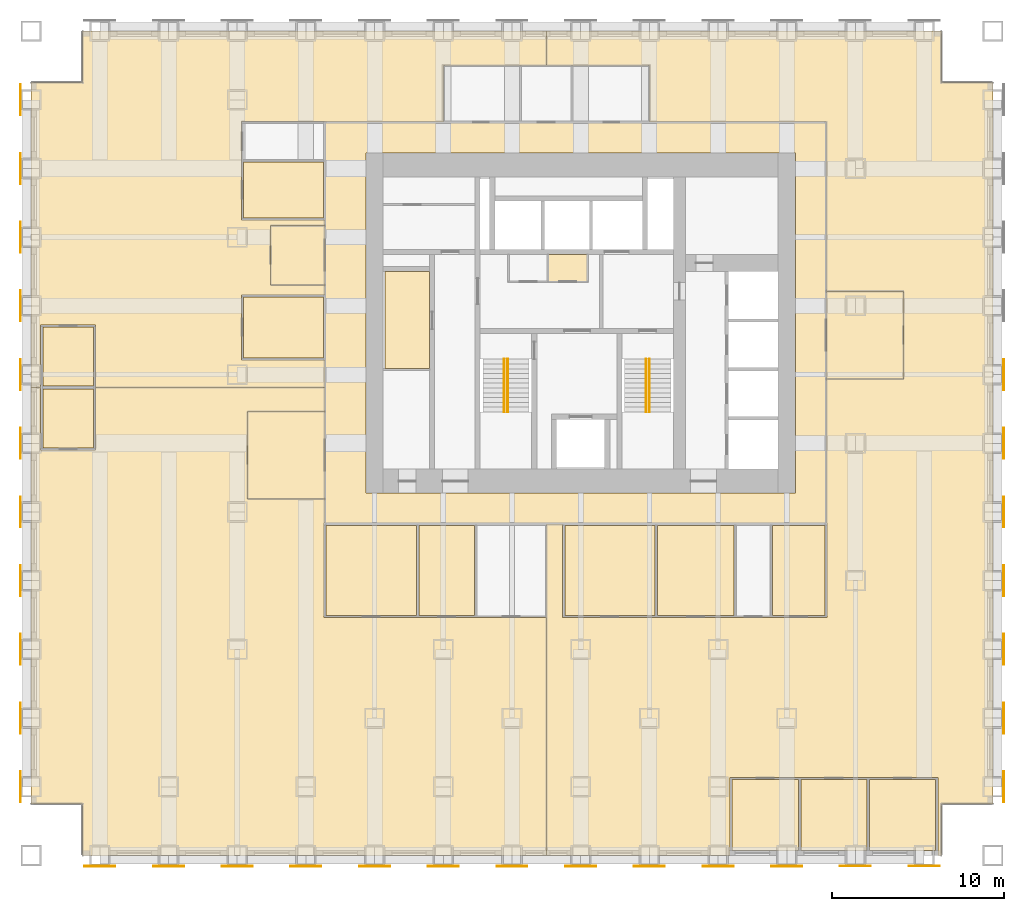
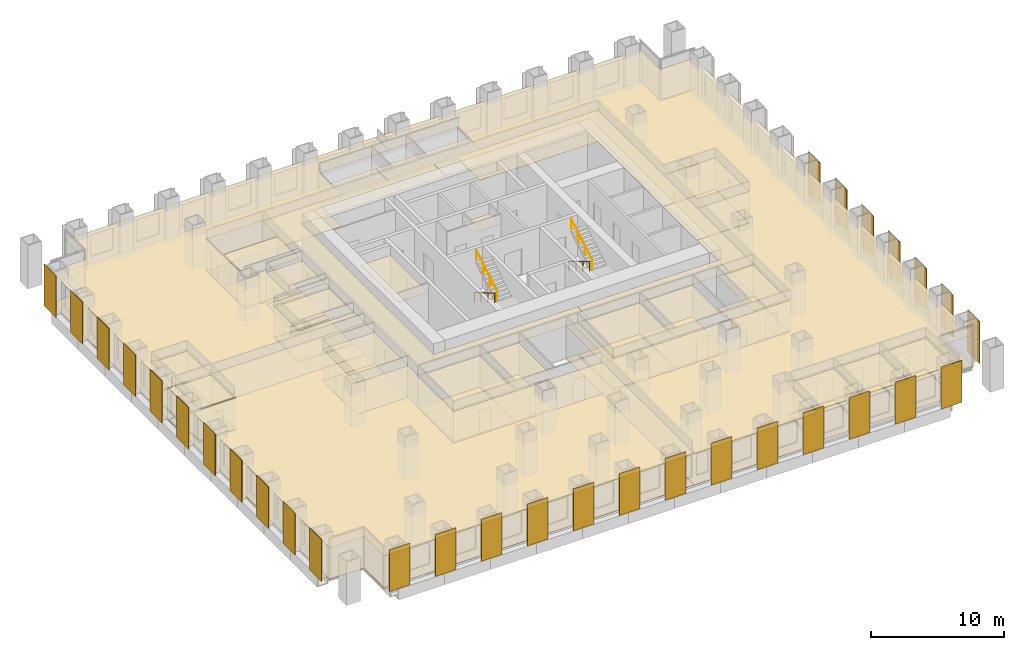
# One storey, part 14 of 15: 40 coverings, 31 shading devices, 4 railings.
"""IFC4 building model written with IfcOpenShell, lengths in metres."""

import ifcopenshell
import ifcopenshell.guid

model = None  # the IFC model being written
_history = None  # IfcOwnerHistory: only IFC2X3 demands one
_inside = {}  # id of a spatial element -> (the spatial element, [elements in it])
_under = {}  # id of a project, library or spatial element -> (it, [spatial elements below it])
_declared = {}  # id of a project -> (the project, [libraries it declares])
_typed = {}  # id of a type object -> (the type object, [elements of that type])
_made_of = {}  # id of a material, layer set ... -> (it, [elements and type objects made of it])


def new_model(schema):
    """Start an empty IFC model of exactly this schema.

    Asked for "IFC4X3", IfcOpenShell would pick the latest addendum, in which some entities
    have other attributes; the version numbers below select the first issue.
    IFC2X3 requires an IfcOwnerHistory on every rooted entity: one is made here for all.
    """
    global model, _history
    if schema == "IFC4X3":
        model = ifcopenshell.file(schema_version=(4, 3, 0, 0))
    else:
        model = ifcopenshell.file(schema=schema)
    _inside.clear()
    _under.clear()
    _declared.clear()
    _typed.clear()
    _made_of.clear()
    _history = None
    if model.schema == "IFC2X3":
        org = make("IfcOrganization", Name="unknown")
        user = make(
            "IfcPersonAndOrganization",
            ThePerson=make("IfcPerson", FamilyName="unknown"),
            TheOrganization=org,
        )
        app = make(
            "IfcApplication",
            ApplicationDeveloper=org,
            Version="unknown",
            ApplicationFullName="unknown",
            ApplicationIdentifier="unknown",
        )
        _history = make(
            "IfcOwnerHistory",
            OwningUser=user,
            OwningApplication=app,
            ChangeAction="ADDED",
            CreationDate=0,
        )
    return model


def make(cls, **values):
    """One entity of the class cls with the attributes given. An attribute that is None is left unset."""
    return model.create_entity(
        cls, **{name: value for name, value in values.items() if value is not None}
    )


def rooted(cls, **values):
    """An entity with a GlobalId (a new one), such as an element, a storey or a relation."""
    return make(cls, GlobalId=ifcopenshell.guid.new(), OwnerHistory=_history, **values)


def si_unit(unit_type, name, prefix=None):
    """IfcSIUnit, for example si_unit("LENGTHUNIT", "METRE", prefix="MILLI")."""
    return make("IfcSIUnit", UnitType=unit_type, Prefix=prefix, Name=name)


def assignment(units):
    """IfcUnitAssignment: the units of a project."""
    return None if units is None else make("IfcUnitAssignment", Units=units)


def point(xyz):
    """IfcCartesianPoint."""
    return None if xyz is None else make("IfcCartesianPoint", Coordinates=xyz)


def direction(xyz):
    """IfcDirection."""
    return None if xyz is None else make("IfcDirection", DirectionRatios=xyz)


def frame(location, z_axis=None, x_axis=None):
    """IfcAxis2Placement3D, a coordinate frame: its origin and axes. An axis left out is left unset."""
    return make(
        "IfcAxis2Placement3D",
        Location=point(location),
        Axis=direction(z_axis),
        RefDirection=direction(x_axis),
    )


def frame_2d(location, x_axis=None):
    """IfcAxis2Placement2D, a coordinate frame in the plane: its origin and x axis."""
    return make(
        "IfcAxis2Placement2D", Location=point(location), RefDirection=direction(x_axis)
    )


def origin():
    """The frame at (0, 0, 0) with its axes left unset."""
    return frame((0.0, 0.0, 0.0))


def origin_2d():
    """The frame at (0, 0) in the plane with its x axis left unset."""
    return frame_2d((0.0, 0.0))


def place(relative_to, where):
    """IfcLocalPlacement: puts the frame where relative to a parent placement (None: the world)."""
    return make(
        "IfcLocalPlacement", PlacementRelTo=relative_to, RelativePlacement=where
    )


def context(
    kind, dimensions, precision=None, world=None, true_north=None, identifier=None
):
    """IfcGeometricRepresentationContext, for example the 3D "Model" context."""
    return make(
        "IfcGeometricRepresentationContext",
        ContextIdentifier=identifier,
        ContextType=kind,
        CoordinateSpaceDimension=dimensions,
        Precision=precision,
        WorldCoordinateSystem=world,
        TrueNorth=true_north,
    )


def subcontext(parent, identifier, kind, view, scale=None):
    """IfcGeometricRepresentationSubContext, for example "Body" below "Model"."""
    return make(
        "IfcGeometricRepresentationSubContext",
        ContextIdentifier=identifier,
        ContextType=kind,
        ParentContext=parent,
        TargetScale=scale,
        TargetView=view,
    )


def project(units=None, contexts=None):
    """IfcProject with its units and contexts."""
    return rooted(
        "IfcProject",
        Name="project",
        RepresentationContexts=contexts,
        UnitsInContext=assignment(units),
    )


def spatial(cls, under=None, at=None, **own):
    """A site, building, storey or space (cls), placed at a placement, below another one or the project."""
    s = rooted(cls, ObjectPlacement=at, **own)
    if under is not None:
        _under.setdefault(under.id(), (under, []))[1].append(s)
    return s


def polyline(points):
    """IfcPolyline through the points."""
    return make("IfcPolyline", Points=[point(p) for p in points])


def profile(cls, at=None, kind="AREA", **sizes):
    """A parametric profile (cls). Its sizes go by their IFC names, for example OverallWidth=200.0."""
    return make(cls, ProfileType=kind, Position=at, **sizes)


def rectangle(**sizes):
    """IfcRectangleProfileDef."""
    return profile("IfcRectangleProfileDef", **sizes)


def circle(**sizes):
    """IfcCircleProfileDef."""
    return profile("IfcCircleProfileDef", **sizes)


def outline(outer, holes=None, kind="AREA"):
    """IfcArbitraryClosedProfileDef: a profile drawn as a closed curve; with holes, ...WithVoids."""
    if holes is None:
        return make("IfcArbitraryClosedProfileDef", ProfileType=kind, OuterCurve=outer)
    return make(
        "IfcArbitraryProfileDefWithVoids",
        ProfileType=kind,
        OuterCurve=outer,
        InnerCurves=holes,
    )


def extrude(swept, where, along, depth):
    """IfcExtrudedAreaSolid: the profile swept, set in the frame where, extruded along a direction by depth."""
    return make(
        "IfcExtrudedAreaSolid",
        SweptArea=swept,
        Position=where,
        ExtrudedDirection=direction(along),
        Depth=depth,
    )


def shape(context_of_items, identifier, shape_type, items):
    """IfcShapeRepresentation: the items that make up one representation, for example the "Body"."""
    return make(
        "IfcShapeRepresentation",
        ContextOfItems=context_of_items,
        RepresentationIdentifier=identifier,
        RepresentationType=shape_type,
        Items=items,
    )


def material(Name=None, Category=None):
    """IfcMaterial."""
    return make("IfcMaterial", Name=Name, Category=Category)


def layer(
    of_material, thickness, ventilated=None, Name=None, Category=None, Priority=None
):
    """IfcMaterialLayer: one layer of a wall or slab, of a material (None: an air gap)."""
    return make(
        "IfcMaterialLayer",
        Material=of_material,
        LayerThickness=thickness,
        IsVentilated=ventilated,
        Name=Name,
        Category=Category,
        Priority=Priority,
    )


def layer_set(layers, Name=None):
    """IfcMaterialLayerSet."""
    return make("IfcMaterialLayerSet", MaterialLayers=layers, LayerSetName=Name)


def made_of(thing, what):
    """Note that an element or type object is made of a material, layer set ...; save() writes the relation."""
    if what is not None:
        _made_of.setdefault(what.id(), (what, []))[1].append(thing)
    return thing


def type_object(cls, material=None, **own):
    """A type object (cls), such as IfcWallType, which elements share."""
    return made_of(rooted(cls, **own), material)


def element(
    cls,
    number,
    at=None,
    inside=None,
    cuts=None,
    type_object=None,
    material=None,
    context=None,
    identifier="Body",
    shape_type=None,
    held_by="IfcProductDefinitionShape",
    body=None,
    shapes=None,
    **own,
):
    """One element of the class cls, such as IfcWall. Its Tag is "e" and its number.

    at: its placement. inside: the storey or other place that contains it. cuts: it is an
    opening in that element (IfcRelVoidsElement). A single representation is given by context,
    identifier, shape_type and body (its items); several are given by shapes. held_by: the class
    of the entity that holds the representations. save() writes the other relations.
    """
    e = rooted(cls, Tag="e%d" % number, ObjectPlacement=at, **own)
    if body is not None:
        shapes = [shape(context, identifier, shape_type, body)]
    if shapes is not None:
        e.Representation = make(held_by, Representations=shapes)
    if inside is not None:
        _inside.setdefault(inside.id(), (inside, []))[1].append(e)
    if cuts is not None:
        rooted(
            "IfcRelVoidsElement", RelatingBuildingElement=cuts, RelatedOpeningElement=e
        )
    if type_object is not None:
        _typed.setdefault(type_object.id(), (type_object, []))[1].append(e)
    return made_of(e, material)


def aggregate(whole, parts):
    """IfcRelAggregates: a whole, such as a stair, and the parts it consists of."""
    return rooted("IfcRelAggregates", RelatingObject=whole, RelatedObjects=parts)


def save(model, path):
    """Write the relations noted so far, then the file.

    IfcRelAggregates (storeys below a building ...), IfcRelContainedInSpatialStructure (elements
    in a storey), IfcRelDefinesByType, IfcRelAssociatesMaterial and IfcRelDeclares: one each for
    every whole, place, type object, material and project.
    """
    for whole, parts in _under.values():
        aggregate(whole, parts)
    for where, things in _inside.values():
        rooted(
            "IfcRelContainedInSpatialStructure",
            RelatedElements=things,
            RelatingStructure=where,
        )
    for kind, things in _typed.values():
        rooted("IfcRelDefinesByType", RelatedObjects=things, RelatingType=kind)
    for what, things in _made_of.values():
        rooted("IfcRelAssociatesMaterial", RelatedObjects=things, RelatingMaterial=what)
    for by, libraries in _declared.values():
        rooted("IfcRelDeclares", RelatingContext=by, RelatedDefinitions=libraries)
    model.write(path)


model = new_model("IFC4")

# Units and contexts
model_context = context("Model", 3, precision=1e-05, world=origin(), true_north=direction((0.0, 1.0)))
body_context = subcontext(model_context, "Body", "Model", "MODEL_VIEW")
ifc_project = project(units=[si_unit("LENGTHUNIT", "METRE"), si_unit("AREAUNIT", "SQUARE_METRE"), si_unit("VOLUMEUNIT", "CUBIC_METRE"), si_unit("PLANEANGLEUNIT", "RADIAN"), si_unit("MASSUNIT", "GRAM", prefix="KILO")], contexts=[model_context])

# Site, building, storey
site_placement = place(None, origin())
site = spatial("IfcSite", under=ifc_project, at=site_placement, CompositionType="ELEMENT")
building_placement = place(site_placement, origin())
building = spatial("IfcBuilding", under=site, at=building_placement, Name="Rimbunsela Tower", CompositionType="ELEMENT")
storey_placement = place(building_placement, frame((0.0, 0.0, 31.0)))
storey = spatial("IfcBuildingStorey", under=building, at=storey_placement, Name="L07", CompositionType="ELEMENT", Elevation=31.0)

# Coverings
ifc_material_1 = material(Name="Nylon carpet tile", Category="textile")
ifc_layer_1 = layer(ifc_material_1, 0.010009765625)
ifc_layer_set_1 = layer_set([ifc_layer_1], Name="Carpet tile 10")
covering_type_1 = type_object("IfcCoveringType", Name="Carpet tile 10", PredefinedType="FLOORING", material=ifc_layer_set_1)
covering_1_placement = place(storey_placement, origin())
element("IfcCovering", 1, at=covering_1_placement, inside=storey, type_object=covering_type_1, Name="Floor finish Open office", PredefinedType="FLOORING", context=body_context, shape_type="SweptSolid", body=[
    extrude(outline(polyline([(20.550048828125, 9.85009765625), (23.85009765625, 9.85009765625), (23.949951171875, 9.85009765625), (27.9990234375, 9.85009765625), (27.9990234375, -4.0), (15.10009765625, -4.0), (1.0, -4.0), (1.0, -1.0), (-2.0, -1.0), (-2.0, 23.2490234375), (-1.449951171875, 23.2490234375), (-1.449951171875, 19.60009765625), (1.75, 19.60009765625), (1.75, 23.2490234375), (15.10009765625, 23.2490234375), (15.10009765625, 21.85009765625), (10.60009765625, 21.85009765625), (10.60009765625, 16.75), (15.10009765625, 16.75), (15.10009765625, 15.35009765625), (15.050048828125, 15.35009765625), (15.050048828125, 9.85009765625), (15.10009765625, 9.85009765625), (20.449951171875, 9.85009765625), (20.550048828125, 9.85009765625)])), origin(), (0.0, 0.0, 1.0), 0.010009765625),
])
covering_2_placement = place(storey_placement, origin())
element("IfcCovering", 2, at=covering_2_placement, inside=storey, type_object=covering_type_1, Name="Floor finish Open office", PredefinedType="FLOORING", context=body_context, shape_type="SweptSolid", body=[
    extrude(outline(polyline([(10.25, 36.5), (10.25, 36.39990234375), (10.25, 33.0), (15.10009765625, 33.0), (15.10009765625, 32.675048828125), (11.949951171875, 32.675048828125), (11.949951171875, 29.22509765625), (15.10009765625, 29.22509765625), (15.10009765625, 28.64990234375), (10.25, 28.64990234375), (10.25, 24.85009765625), (15.10009765625, 24.85009765625), (15.10009765625, 23.2509765625), (1.75, 23.2509765625), (1.75, 26.89990234375), (-1.449951171875, 26.89990234375), (-1.449951171875, 23.2509765625), (-2.0, 23.2509765625), (-2.0, 41.0), (1.0, 41.0), (1.0, 44.0), (15.10009765625, 44.0), (27.9990234375, 44.0), (27.9990234375, 42.0), (22.0, 42.0), (22.0, 38.699951171875), (15.14990234375, 38.699951171875), (15.14990234375, 38.75), (15.10009765625, 38.75), (10.25, 38.75), (10.25, 36.5)])), origin(), (0.0, 0.0, 1.0), 0.010009765625),
])
covering_3_placement = place(storey_placement, origin())
element("IfcCovering", 3, at=covering_3_placement, inside=storey, type_object=covering_type_1, Name="Floor finish Open office", PredefinedType="FLOORING", context=body_context, shape_type="SweptSolid", body=[
    extrude(outline(polyline([(42.699951171875, 0.550048828125), (38.699951171875, 0.550048828125), (38.699951171875, -4.0), (28.0009765625, -4.0), (28.0009765625, 15.300048828125), (28.948974609375, 15.300048828125), (28.948974609375, 9.85009765625), (34.34912109375, 9.85009765625), (34.448974609375, 9.85009765625), (38.948974609375, 9.85009765625), (39.049072265625, 9.85009765625), (41.049072265625, 9.85009765625), (41.14892578125, 9.85009765625), (44.300048828125, 9.85009765625), (44.35009765625, 9.85009765625), (44.35009765625, 15.35009765625), (44.300048828125, 15.35009765625), (44.300048828125, 23.75), (48.800048828125, 23.75), (48.800048828125, 28.85009765625), (44.300048828125, 28.85009765625), (44.300048828125, 38.699951171875), (34.0, 38.699951171875), (34.0, 42.0), (28.0009765625, 42.0), (28.0009765625, 44.0), (44.300048828125, 44.0), (51.0, 44.0), (51.0, 41.0), (54.0, 41.0), (54.0, -1.0), (51.0, -1.0), (51.0, -4.0), (50.800048828125, -4.0), (50.800048828125, 0.550048828125), (46.800048828125, 0.550048828125), (46.699951171875, 0.550048828125), (44.300048828125, 0.550048828125), (42.800048828125, 0.550048828125), (42.699951171875, 0.550048828125)])), origin(), (0.0, 0.0, 1.0), 0.010009765625),
])
covering_4_placement = place(storey_placement, origin())
element("IfcCovering", 4, at=covering_4_placement, inside=storey, type_object=covering_type_1, Name="Floor finish Reception", PredefinedType="FLOORING", context=body_context, shape_type="SweptSolid", body=[
    extrude(outline(polyline([(15.10009765625, 16.75), (15.10009765625, 21.85009765625), (10.60009765625, 21.85009765625), (10.60009765625, 16.75), (15.10009765625, 16.75)])), origin(), (0.0, 0.0, 1.0), 0.010009765625),
])
covering_5_placement = place(storey_placement, origin())
element("IfcCovering", 5, at=covering_5_placement, inside=storey, type_object=covering_type_1, Name="Floor finish Reception", PredefinedType="FLOORING", context=body_context, shape_type="SweptSolid", body=[
    extrude(outline(polyline([(15.10009765625, 29.22509765625), (15.10009765625, 32.675048828125), (11.949951171875, 32.675048828125), (11.949951171875, 29.22509765625), (15.10009765625, 29.22509765625)])), origin(), (0.0, 0.0, 1.0), 0.010009765625),
])
covering_6_placement = place(storey_placement, origin())
element("IfcCovering", 6, at=covering_6_placement, inside=storey, type_object=covering_type_1, Name="Floor finish Reception", PredefinedType="FLOORING", context=body_context, shape_type="SweptSolid", body=[
    extrude(outline(polyline([(48.800048828125, 23.75), (48.800048828125, 28.85009765625), (44.300048828125, 28.85009765625), (44.300048828125, 23.75), (48.800048828125, 23.75)])), origin(), (0.0, 0.0, 1.0), 0.010009765625),
])
covering_7_placement = place(storey_placement, origin())
element("IfcCovering", 7, at=covering_7_placement, inside=storey, type_object=covering_type_1, Name="Floor finish Executive office", PredefinedType="FLOORING", context=body_context, shape_type="SweptSolid", body=[
    extrude(outline(polyline([(42.675048828125, -3.699951171875), (42.675048828125, 0.425048828125), (38.824951171875, 0.425048828125), (38.824951171875, -3.699951171875), (42.675048828125, -3.699951171875)])), origin(), (0.0, 0.0, 1.0), 0.010009765625),
])
covering_8_placement = place(storey_placement, origin())
element("IfcCovering", 8, at=covering_8_placement, inside=storey, type_object=covering_type_1, Name="Floor finish Executive office", PredefinedType="FLOORING", context=body_context, shape_type="SweptSolid", body=[
    extrude(outline(polyline([(46.675048828125, -3.699951171875), (46.675048828125, 0.425048828125), (42.824951171875, 0.425048828125), (42.824951171875, -3.699951171875), (46.675048828125, -3.699951171875)])), origin(), (0.0, 0.0, 1.0), 0.010009765625),
])
covering_9_placement = place(storey_placement, origin())
element("IfcCovering", 9, at=covering_9_placement, inside=storey, type_object=covering_type_1, Name="Floor finish Executive office", PredefinedType="FLOORING", context=body_context, shape_type="SweptSolid", body=[
    extrude(outline(polyline([(50.675048828125, -3.699951171875), (50.675048828125, 0.425048828125), (46.824951171875, 0.425048828125), (46.824951171875, -3.699951171875), (50.675048828125, -3.699951171875)])), origin(), (0.0, 0.0, 1.0), 0.010009765625),
])
covering_10_placement = place(storey_placement, origin())
element("IfcCovering", 10, at=covering_10_placement, inside=storey, type_object=covering_type_1, Name="Floor finish Meeting room", PredefinedType="FLOORING", context=body_context, shape_type="SweptSolid", body=[
    extrude(outline(polyline([(20.425048828125, 9.97509765625), (20.425048828125, 15.22509765625), (15.175048828125, 15.22509765625), (15.175048828125, 9.97509765625), (20.425048828125, 9.97509765625)])), origin(), (0.0, 0.0, 1.0), 0.010009765625),
])
covering_11_placement = place(storey_placement, origin())
element("IfcCovering", 11, at=covering_11_placement, inside=storey, type_object=covering_type_1, Name="Floor finish Pantry", PredefinedType="FLOORING", context=body_context, shape_type="SweptSolid", body=[
    extrude(outline(polyline([(23.824951171875, 9.97509765625), (23.824951171875, 15.22509765625), (20.574951171875, 15.22509765625), (20.574951171875, 9.97509765625), (23.824951171875, 9.97509765625)])), origin(), (0.0, 0.0, 1.0), 0.010009765625),
])
covering_12_placement = place(storey_placement, origin())
element("IfcCovering", 12, at=covering_12_placement, inside=storey, type_object=covering_type_1, Name="Floor finish Pantry", PredefinedType="FLOORING", context=body_context, shape_type="SweptSolid", body=[
    extrude(outline(polyline([(15.02490234375, 33.125), (15.02490234375, 36.375), (10.375, 36.375), (10.375, 33.125), (15.02490234375, 33.125)])), origin(), (0.0, 0.0, 1.0), 0.010009765625),
])
covering_13_placement = place(storey_placement, origin())
element("IfcCovering", 13, at=covering_13_placement, inside=storey, type_object=covering_type_1, Name="Floor finish Meeting room", PredefinedType="FLOORING", context=body_context, shape_type="SweptSolid", body=[
    extrude(outline(polyline([(34.323974609375, 9.97509765625), (34.323974609375, 15.22509765625), (29.073974609375, 15.22509765625), (29.073974609375, 9.97509765625), (34.323974609375, 9.97509765625)])), origin(), (0.0, 0.0, 1.0), 0.010009765625),
])
covering_14_placement = place(storey_placement, origin())
element("IfcCovering", 14, at=covering_14_placement, inside=storey, type_object=covering_type_1, Name="Floor finish Pantry", PredefinedType="FLOORING", context=body_context, shape_type="SweptSolid", body=[
    extrude(outline(polyline([(38.924072265625, 9.97509765625), (38.924072265625, 15.22509765625), (34.47412109375, 15.22509765625), (34.47412109375, 9.97509765625), (38.924072265625, 9.97509765625)])), origin(), (0.0, 0.0, 1.0), 0.010009765625),
])
covering_15_placement = place(storey_placement, origin())
element("IfcCovering", 15, at=covering_15_placement, inside=storey, type_object=covering_type_1, Name="Floor finish Office", PredefinedType="FLOORING", context=body_context, shape_type="SweptSolid", body=[
    extrude(outline(polyline([(44.22509765625, 9.97509765625), (44.22509765625, 15.22509765625), (41.174072265625, 15.22509765625), (41.174072265625, 9.97509765625), (44.22509765625, 9.97509765625)])), origin(), (0.0, 0.0, 1.0), 0.010009765625),
])
covering_16_placement = place(storey_placement, origin())
element("IfcCovering", 16, at=covering_16_placement, inside=storey, type_object=covering_type_1, Name="Floor finish Office", PredefinedType="FLOORING", context=body_context, shape_type="SweptSolid", body=[
    extrude(outline(polyline([(1.625, 19.72509765625), (1.625, 23.175048828125), (-1.324951171875, 23.175048828125), (-1.324951171875, 19.72509765625), (1.625, 19.72509765625)])), origin(), (0.0, 0.0, 1.0), 0.010009765625),
])
covering_17_placement = place(storey_placement, origin())
element("IfcCovering", 17, at=covering_17_placement, inside=storey, type_object=covering_type_1, Name="Floor finish Meeting room", PredefinedType="FLOORING", context=body_context, shape_type="SweptSolid", body=[
    extrude(outline(polyline([(15.02490234375, 24.97509765625), (15.02490234375, 28.52490234375), (10.375, 28.52490234375), (10.375, 24.97509765625), (15.02490234375, 24.97509765625)])), origin(), (0.0, 0.0, 1.0), 0.010009765625),
])
covering_18_placement = place(storey_placement, origin())
element("IfcCovering", 18, at=covering_18_placement, inside=storey, type_object=covering_type_1, Name="Floor finish Office", PredefinedType="FLOORING", context=body_context, shape_type="SweptSolid", body=[
    extrude(outline(polyline([(1.625, 23.324951171875), (1.625, 26.77490234375), (-1.324951171875, 26.77490234375), (-1.324951171875, 23.324951171875), (1.625, 23.324951171875)])), origin(), (0.0, 0.0, 1.0), 0.010009765625),
])
ifc_material_2 = material(Name="Mineral fibre ceiling tile", Category="gypsum")
ifc_layer_2 = layer(ifc_material_2, 0.02001953125)
ifc_layer_set_2 = layer_set([ifc_layer_2], Name="Ceiling 600 grid")
covering_type_2 = type_object("IfcCoveringType", Name="Ceiling 600 grid", PredefinedType="CEILING", material=ifc_layer_set_2)
covering_19_placement = place(storey_placement, frame((0.0, 0.0, 2.89990234375)))
element("IfcCovering", 19, at=covering_19_placement, inside=storey, type_object=covering_type_2, Name="Ceiling IT room", PredefinedType="CEILING", context=body_context, shape_type="SweptSolid", body=[
    extrude(outline(polyline([(30.39990234375, 29.39990234375), (30.39990234375, 31.0), (28.10009765625, 31.0), (28.10009765625, 29.39990234375), (30.39990234375, 29.39990234375)])), origin(), (0.0, 0.0, 1.0), 0.02001953125),
])
covering_20_placement = place(storey_placement, frame((0.0, 0.0, 2.89990234375)))
element("IfcCovering", 20, at=covering_20_placement, inside=storey, type_object=covering_type_2, Name="Ceiling IT room", PredefinedType="CEILING", context=body_context, shape_type="SweptSolid", body=[
    extrude(outline(polyline([(21.199951171875, 24.35009765625), (21.199951171875, 30.0), (18.60009765625, 30.0), (18.60009765625, 24.35009765625), (21.199951171875, 24.35009765625)])), origin(), (0.0, 0.0, 1.0), 0.02001953125),
])
covering_21_placement = place(storey_placement, frame((0.0, 0.0, 2.89990234375)))
element("IfcCovering", 21, at=covering_21_placement, inside=storey, type_object=covering_type_2, Name="Ceiling Ring corridor", PredefinedType="CEILING", context=body_context, shape_type="SweptSolid", body=[
    extrude(outline(polyline([(15.10009765625, 38.699951171875), (30.0, 38.699951171875), (30.0, 36.89990234375), (17.5, 36.89990234375), (17.5, 17.10009765625), (30.0, 17.10009765625), (30.0, 15.300048828125), (15.10009765625, 15.300048828125), (15.10009765625, 38.699951171875)])), origin(), (0.0, 0.0, 1.0), 0.02001953125),
])
covering_22_placement = place(storey_placement, frame((0.0, 0.0, 2.89990234375)))
element("IfcCovering", 22, at=covering_22_placement, inside=storey, type_object=covering_type_2, Name="Ceiling Ring corridor", PredefinedType="CEILING", context=body_context, shape_type="SweptSolid", body=[
    extrude(outline(polyline([(44.300048828125, 38.699951171875), (44.300048828125, 15.300048828125), (30.0, 15.300048828125), (30.0, 17.10009765625), (42.5, 17.10009765625), (42.5, 36.89990234375), (30.0, 36.89990234375), (30.0, 38.699951171875), (44.300048828125, 38.699951171875)])), origin(), (0.0, 0.0, 1.0), 0.02001953125),
])
covering_23_placement = place(storey_placement, frame((0.0, 0.0, 2.89990234375)))
element("IfcCovering", 23, at=covering_23_placement, inside=storey, type_object=covering_type_2, Name="Ceiling Open office", PredefinedType="CEILING", context=body_context, shape_type="SweptSolid", body=[
    extrude(outline(polyline([(20.550048828125, 9.85009765625), (23.85009765625, 9.85009765625), (23.949951171875, 9.85009765625), (27.9990234375, 9.85009765625), (27.9990234375, -4.0), (15.10009765625, -4.0), (1.0, -4.0), (1.0, -1.0), (-2.0, -1.0), (-2.0, 23.2490234375), (-1.449951171875, 23.2490234375), (-1.449951171875, 19.60009765625), (1.75, 19.60009765625), (1.75, 23.2490234375), (15.10009765625, 23.2490234375), (15.10009765625, 21.85009765625), (10.60009765625, 21.85009765625), (10.60009765625, 16.75), (15.10009765625, 16.75), (15.10009765625, 15.35009765625), (15.050048828125, 15.35009765625), (15.050048828125, 9.85009765625), (15.10009765625, 9.85009765625), (20.449951171875, 9.85009765625), (20.550048828125, 9.85009765625)])), origin(), (0.0, 0.0, 1.0), 0.02001953125),
])
covering_24_placement = place(storey_placement, frame((0.0, 0.0, 2.89990234375)))
element("IfcCovering", 24, at=covering_24_placement, inside=storey, type_object=covering_type_2, Name="Ceiling Open office", PredefinedType="CEILING", context=body_context, shape_type="SweptSolid", body=[
    extrude(outline(polyline([(10.25, 36.5), (10.25, 36.39990234375), (10.25, 33.0), (15.10009765625, 33.0), (15.10009765625, 32.675048828125), (11.949951171875, 32.675048828125), (11.949951171875, 29.22509765625), (15.10009765625, 29.22509765625), (15.10009765625, 28.64990234375), (10.25, 28.64990234375), (10.25, 24.85009765625), (15.10009765625, 24.85009765625), (15.10009765625, 23.2509765625), (1.75, 23.2509765625), (1.75, 26.89990234375), (-1.449951171875, 26.89990234375), (-1.449951171875, 23.2509765625), (-2.0, 23.2509765625), (-2.0, 41.0), (1.0, 41.0), (1.0, 44.0), (15.10009765625, 44.0), (27.9990234375, 44.0), (27.9990234375, 42.0), (22.0, 42.0), (22.0, 38.699951171875), (15.14990234375, 38.699951171875), (15.14990234375, 38.75), (15.10009765625, 38.75), (10.25, 38.75), (10.25, 36.5)])), origin(), (0.0, 0.0, 1.0), 0.02001953125),
])
covering_25_placement = place(storey_placement, frame((0.0, 0.0, 2.89990234375)))
element("IfcCovering", 25, at=covering_25_placement, inside=storey, type_object=covering_type_2, Name="Ceiling Open office", PredefinedType="CEILING", context=body_context, shape_type="SweptSolid", body=[
    extrude(outline(polyline([(42.699951171875, 0.550048828125), (38.699951171875, 0.550048828125), (38.699951171875, -4.0), (28.0009765625, -4.0), (28.0009765625, 15.300048828125), (28.948974609375, 15.300048828125), (28.948974609375, 9.85009765625), (34.34912109375, 9.85009765625), (34.448974609375, 9.85009765625), (38.948974609375, 9.85009765625), (39.049072265625, 9.85009765625), (41.049072265625, 9.85009765625), (41.14892578125, 9.85009765625), (44.300048828125, 9.85009765625), (44.35009765625, 9.85009765625), (44.35009765625, 15.35009765625), (44.300048828125, 15.35009765625), (44.300048828125, 23.75), (48.800048828125, 23.75), (48.800048828125, 28.85009765625), (44.300048828125, 28.85009765625), (44.300048828125, 38.699951171875), (34.0, 38.699951171875), (34.0, 42.0), (28.0009765625, 42.0), (28.0009765625, 44.0), (44.300048828125, 44.0), (51.0, 44.0), (51.0, 41.0), (54.0, 41.0), (54.0, -1.0), (51.0, -1.0), (51.0, -4.0), (50.800048828125, -4.0), (50.800048828125, 0.550048828125), (46.800048828125, 0.550048828125), (46.699951171875, 0.550048828125), (44.300048828125, 0.550048828125), (42.800048828125, 0.550048828125), (42.699951171875, 0.550048828125)])), origin(), (0.0, 0.0, 1.0), 0.02001953125),
])
covering_26_placement = place(storey_placement, frame((0.0, 0.0, 2.89990234375)))
element("IfcCovering", 26, at=covering_26_placement, inside=storey, type_object=covering_type_2, Name="Ceiling Reception", PredefinedType="CEILING", context=body_context, shape_type="SweptSolid", body=[
    extrude(outline(polyline([(15.10009765625, 16.75), (15.10009765625, 21.85009765625), (10.60009765625, 21.85009765625), (10.60009765625, 16.75), (15.10009765625, 16.75)])), origin(), (0.0, 0.0, 1.0), 0.02001953125),
])
covering_27_placement = place(storey_placement, frame((0.0, 0.0, 2.89990234375)))
element("IfcCovering", 27, at=covering_27_placement, inside=storey, type_object=covering_type_2, Name="Ceiling Reception", PredefinedType="CEILING", context=body_context, shape_type="SweptSolid", body=[
    extrude(outline(polyline([(15.10009765625, 29.22509765625), (15.10009765625, 32.675048828125), (11.949951171875, 32.675048828125), (11.949951171875, 29.22509765625), (15.10009765625, 29.22509765625)])), origin(), (0.0, 0.0, 1.0), 0.02001953125),
])
covering_28_placement = place(storey_placement, frame((0.0, 0.0, 2.89990234375)))
element("IfcCovering", 28, at=covering_28_placement, inside=storey, type_object=covering_type_2, Name="Ceiling Reception", PredefinedType="CEILING", context=body_context, shape_type="SweptSolid", body=[
    extrude(outline(polyline([(48.800048828125, 23.75), (48.800048828125, 28.85009765625), (44.300048828125, 28.85009765625), (44.300048828125, 23.75), (48.800048828125, 23.75)])), origin(), (0.0, 0.0, 1.0), 0.02001953125),
])
covering_29_placement = place(storey_placement, frame((0.0, 0.0, 2.89990234375)))
element("IfcCovering", 29, at=covering_29_placement, inside=storey, type_object=covering_type_2, Name="Ceiling Executive office", PredefinedType="CEILING", context=body_context, shape_type="SweptSolid", body=[
    extrude(outline(polyline([(42.675048828125, -3.699951171875), (42.675048828125, 0.425048828125), (38.824951171875, 0.425048828125), (38.824951171875, -3.699951171875), (42.675048828125, -3.699951171875)])), origin(), (0.0, 0.0, 1.0), 0.02001953125),
])
covering_30_placement = place(storey_placement, frame((0.0, 0.0, 2.89990234375)))
element("IfcCovering", 30, at=covering_30_placement, inside=storey, type_object=covering_type_2, Name="Ceiling Executive office", PredefinedType="CEILING", context=body_context, shape_type="SweptSolid", body=[
    extrude(outline(polyline([(46.675048828125, -3.699951171875), (46.675048828125, 0.425048828125), (42.824951171875, 0.425048828125), (42.824951171875, -3.699951171875), (46.675048828125, -3.699951171875)])), origin(), (0.0, 0.0, 1.0), 0.02001953125),
])
covering_31_placement = place(storey_placement, frame((0.0, 0.0, 2.89990234375)))
element("IfcCovering", 31, at=covering_31_placement, inside=storey, type_object=covering_type_2, Name="Ceiling Executive office", PredefinedType="CEILING", context=body_context, shape_type="SweptSolid", body=[
    extrude(outline(polyline([(50.675048828125, -3.699951171875), (50.675048828125, 0.425048828125), (46.824951171875, 0.425048828125), (46.824951171875, -3.699951171875), (50.675048828125, -3.699951171875)])), origin(), (0.0, 0.0, 1.0), 0.02001953125),
])
covering_32_placement = place(storey_placement, frame((0.0, 0.0, 2.89990234375)))
element("IfcCovering", 32, at=covering_32_placement, inside=storey, type_object=covering_type_2, Name="Ceiling Meeting room", PredefinedType="CEILING", context=body_context, shape_type="SweptSolid", body=[
    extrude(outline(polyline([(20.425048828125, 9.97509765625), (20.425048828125, 15.22509765625), (15.175048828125, 15.22509765625), (15.175048828125, 9.97509765625), (20.425048828125, 9.97509765625)])), origin(), (0.0, 0.0, 1.0), 0.02001953125),
])
covering_33_placement = place(storey_placement, frame((0.0, 0.0, 2.89990234375)))
element("IfcCovering", 33, at=covering_33_placement, inside=storey, type_object=covering_type_2, Name="Ceiling Pantry", PredefinedType="CEILING", context=body_context, shape_type="SweptSolid", body=[
    extrude(outline(polyline([(23.824951171875, 9.97509765625), (23.824951171875, 15.22509765625), (20.574951171875, 15.22509765625), (20.574951171875, 9.97509765625), (23.824951171875, 9.97509765625)])), origin(), (0.0, 0.0, 1.0), 0.02001953125),
])
covering_34_placement = place(storey_placement, frame((0.0, 0.0, 2.89990234375)))
element("IfcCovering", 34, at=covering_34_placement, inside=storey, type_object=covering_type_2, Name="Ceiling Pantry", PredefinedType="CEILING", context=body_context, shape_type="SweptSolid", body=[
    extrude(outline(polyline([(15.02490234375, 33.125), (15.02490234375, 36.375), (10.375, 36.375), (10.375, 33.125), (15.02490234375, 33.125)])), origin(), (0.0, 0.0, 1.0), 0.02001953125),
])
covering_35_placement = place(storey_placement, frame((0.0, 0.0, 2.89990234375)))
element("IfcCovering", 35, at=covering_35_placement, inside=storey, type_object=covering_type_2, Name="Ceiling Meeting room", PredefinedType="CEILING", context=body_context, shape_type="SweptSolid", body=[
    extrude(outline(polyline([(34.323974609375, 9.97509765625), (34.323974609375, 15.22509765625), (29.073974609375, 15.22509765625), (29.073974609375, 9.97509765625), (34.323974609375, 9.97509765625)])), origin(), (0.0, 0.0, 1.0), 0.02001953125),
])
covering_36_placement = place(storey_placement, frame((0.0, 0.0, 2.89990234375)))
element("IfcCovering", 36, at=covering_36_placement, inside=storey, type_object=covering_type_2, Name="Ceiling Pantry", PredefinedType="CEILING", context=body_context, shape_type="SweptSolid", body=[
    extrude(outline(polyline([(38.924072265625, 9.97509765625), (38.924072265625, 15.22509765625), (34.47412109375, 15.22509765625), (34.47412109375, 9.97509765625), (38.924072265625, 9.97509765625)])), origin(), (0.0, 0.0, 1.0), 0.02001953125),
])
covering_37_placement = place(storey_placement, frame((0.0, 0.0, 2.89990234375)))
element("IfcCovering", 37, at=covering_37_placement, inside=storey, type_object=covering_type_2, Name="Ceiling Office", PredefinedType="CEILING", context=body_context, shape_type="SweptSolid", body=[
    extrude(outline(polyline([(44.22509765625, 9.97509765625), (44.22509765625, 15.22509765625), (41.174072265625, 15.22509765625), (41.174072265625, 9.97509765625), (44.22509765625, 9.97509765625)])), origin(), (0.0, 0.0, 1.0), 0.02001953125),
])
covering_38_placement = place(storey_placement, frame((0.0, 0.0, 2.89990234375)))
element("IfcCovering", 38, at=covering_38_placement, inside=storey, type_object=covering_type_2, Name="Ceiling Office", PredefinedType="CEILING", context=body_context, shape_type="SweptSolid", body=[
    extrude(outline(polyline([(1.625, 19.72509765625), (1.625, 23.175048828125), (-1.324951171875, 23.175048828125), (-1.324951171875, 19.72509765625), (1.625, 19.72509765625)])), origin(), (0.0, 0.0, 1.0), 0.02001953125),
])
covering_39_placement = place(storey_placement, frame((0.0, 0.0, 2.89990234375)))
element("IfcCovering", 39, at=covering_39_placement, inside=storey, type_object=covering_type_2, Name="Ceiling Meeting room", PredefinedType="CEILING", context=body_context, shape_type="SweptSolid", body=[
    extrude(outline(polyline([(15.02490234375, 24.97509765625), (15.02490234375, 28.52490234375), (10.375, 28.52490234375), (10.375, 24.97509765625), (15.02490234375, 24.97509765625)])), origin(), (0.0, 0.0, 1.0), 0.02001953125),
])
covering_40_placement = place(storey_placement, frame((0.0, 0.0, 2.89990234375)))
element("IfcCovering", 40, at=covering_40_placement, inside=storey, type_object=covering_type_2, Name="Ceiling Office", PredefinedType="CEILING", context=body_context, shape_type="SweptSolid", body=[
    extrude(outline(polyline([(1.625, 23.324951171875), (1.625, 26.77490234375), (-1.324951171875, 26.77490234375), (-1.324951171875, 23.324951171875), (1.625, 23.324951171875)])), origin(), (0.0, 0.0, 1.0), 0.02001953125),
])

# Shading devices
ifc_material_3 = material(Name="Perforated aluminium, 35 % open area", Category="aluminium")
ifc_layer_3 = layer(ifc_material_3, 0.050048828125)
ifc_layer_set_3 = layer_set([ifc_layer_3], Name="Solar screen panel 1800")
shading_device_type = type_object("IfcShadingDeviceType", Name="Solar screen panel 1800", PredefinedType="USERDEFINED", material=ifc_layer_set_3)
for number, where, z_axis, x_axis, name in (
    (41, (2.0, -4.625, 0.0), (0.0, 0.0, 1.0), (1.0, 0.0, 0.0), "Solar screen S L07"),
    (42, (6.0, -4.625, 0.0), (0.0, 0.0, 1.0), (1.0, 0.0, 0.0), "Solar screen S L07"),
    (43, (10.0, -4.625, 0.0), (0.0, 0.0, 1.0), (1.0, 0.0, 0.0), "Solar screen S L07"),
    (44, (14.0, -4.625, 0.0), (0.0, 0.0, 1.0), (1.0, 0.0, 0.0), "Solar screen S L07"),
    (45, (18.0, -4.625, 0.0), (0.0, 0.0, 1.0), (1.0, 0.0, 0.0), "Solar screen S L07"),
    (46, (22.0, -4.625, 0.0), (0.0, 0.0, 1.0), (1.0, 0.0, 0.0), "Solar screen S L07"),
    (47, (26.0, -4.625, 0.0), (0.0, 0.0, 1.0), (1.0, 0.0, 0.0), "Solar screen S L07"),
    (48, (30.0, -4.625, 0.0), (0.0, 0.0, 1.0), (1.0, 0.0, 0.0), "Solar screen S L07"),
    (49, (34.0, -4.625, 0.0), (0.0, 0.0, 1.0), (1.0, 0.0, 0.0), "Solar screen S L07"),
    (50, (38.0, -4.625, 0.0), (0.0, 0.0, 1.0), (1.0, 0.0, 0.0), "Solar screen S L07"),
    (51, (42.0, -4.625, 0.0), (0.0, 0.0, 1.0), (1.0, 0.0, 0.0), "Solar screen S L07"),
    (52, (46.0, -4.625, 0.0), (0.0, 0.0, 1.0), (1.0, 0.0, 0.0), "Solar screen S L07"),
    (53, (50.0, -4.625, 0.0), (0.0, 0.0, 1.0), (1.0, 0.0, 0.0), "Solar screen S L07"),
    (54, (54.625, 0.0, 0.0), (0.0, 0.0, 1.0), (0.0, 1.0, 0.0), "Solar screen E L07"),
    (55, (54.625, 4.0, 0.0), (0.0, 0.0, 1.0), (0.0, 1.0, 0.0), "Solar screen E L07"),
    (56, (54.625, 8.0, 0.0), (0.0, 0.0, 1.0), (0.0, 1.0, 0.0), "Solar screen E L07"),
    (57, (54.625, 12.0, 0.0), (0.0, 0.0, 1.0), (0.0, 1.0, 0.0), "Solar screen E L07"),
    (58, (54.625, 16.0, 0.0), (0.0, 0.0, 1.0), (0.0, 1.0, 0.0), "Solar screen E L07"),
    (59, (54.625, 20.0, 0.0), (0.0, 0.0, 1.0), (0.0, 1.0, 0.0), "Solar screen E L07"),
    (60, (54.625, 24.0, 0.0), (0.0, 0.0, 1.0), (0.0, 1.0, 0.0), "Solar screen E L07"),
    (61, (-2.625, 0.0, 0.0), (0.0, 0.0, 1.0), (0.0, 1.0, 0.0), "Solar screen W L07"),
    (62, (-2.625, 4.0, 0.0), (0.0, 0.0, 1.0), (0.0, 1.0, 0.0), "Solar screen W L07"),
    (63, (-2.625, 8.0, 0.0), (0.0, 0.0, 1.0), (0.0, 1.0, 0.0), "Solar screen W L07"),
    (64, (-2.625, 12.0, 0.0), (0.0, 0.0, 1.0), (0.0, 1.0, 0.0), "Solar screen W L07"),
    (65, (-2.625, 16.0, 0.0), (0.0, 0.0, 1.0), (0.0, 1.0, 0.0), "Solar screen W L07"),
    (66, (-2.625, 20.0, 0.0), (0.0, 0.0, 1.0), (0.0, 1.0, 0.0), "Solar screen W L07"),
    (67, (-2.625, 24.0, 0.0), (0.0, 0.0, 1.0), (0.0, 1.0, 0.0), "Solar screen W L07"),
    (68, (-2.625, 28.0, 0.0), (0.0, 0.0, 1.0), (0.0, 1.0, 0.0), "Solar screen W L07"),
    (69, (-2.625, 32.0, 0.0), (0.0, 0.0, 1.0), (0.0, 1.0, 0.0), "Solar screen W L07"),
    (70, (-2.625, 36.0, 0.0), (0.0, 0.0, 1.0), (0.0, 1.0, 0.0), "Solar screen W L07"),
    (71, (-2.625, 40.0, 0.0), (0.0, 0.0, 1.0), (0.0, 1.0, 0.0), "Solar screen W L07"),
):
    element("IfcShadingDevice", number, at=place(storey_placement, frame(where, z_axis=z_axis, x_axis=x_axis)), inside=storey, type_object=shading_device_type, Name=name, ObjectType="SCREEN", PredefinedType="USERDEFINED", context=body_context, shape_type="SweptSolid", body=[
        extrude(rectangle(XDim=1.800048828125, YDim=0.050048828125, at=origin_2d()), origin(), (0.0, 0.0, 1.0), 3.85009765625),
    ])

# Railings
ifc_material_4 = material(Name="Stainless steel tube", Category="steel")
railing_type = type_object("IfcRailingType", Name="Stair handrail 900", PredefinedType="HANDRAIL", material=ifc_material_4)
railing_1_placement = place(storey_placement, frame((25.550048828125, 24.89990234375, 0.166748046875)))
element("IfcRailing", 72, at=railing_1_placement, inside=storey, type_object=railing_type, Name="Handrail ST-A flight 1", PredefinedType="HANDRAIL", context=body_context, shape_type="SweptSolid", body=[
    extrude(circle(Radius=0.02392578125, at=origin_2d()), frame((0.0, 0.0, 0.8759765625), z_axis=(0.0, -0.859290745958, 0.51148745235), x_axis=(1.0, 0.0, 0.0)), (0.0, 0.0, 1.0), 3.584228515625),
    extrude(circle(Radius=0.02099609375, at=origin_2d()), origin(), (0.0, 0.0, 1.0), 0.851806640625),
    extrude(circle(Radius=0.02099609375, at=origin_2d()), frame((0.0, -1.026611328125, 0.611083984375)), (0.0, 0.0, 1.0), 0.851806640625),
    extrude(circle(Radius=0.02099609375, at=origin_2d()), frame((0.0, -2.05322265625, 1.22216796875)), (0.0, 0.0, 1.0), 0.851806640625),
    extrude(circle(Radius=0.02099609375, at=origin_2d()), frame((0.0, -3.079833984375, 1.833251953125)), (0.0, 0.0, 1.0), 0.851806640625),
])
railing_2_placement = place(storey_placement, frame((25.75, 21.820068359375, 2.166748046875)))
element("IfcRailing", 73, at=railing_2_placement, inside=storey, type_object=railing_type, Name="Handrail ST-A flight 2", PredefinedType="HANDRAIL", context=body_context, shape_type="SweptSolid", body=[
    extrude(circle(Radius=0.02392578125, at=origin_2d()), frame((0.0, 0.0, 0.8759765625), z_axis=(0.0, 0.859290745958, 0.51148745235), x_axis=(-1.0, 0.0, 0.0)), (0.0, 0.0, 1.0), 3.584228515625),
    extrude(circle(Radius=0.02099609375, at=origin_2d()), origin(), (0.0, 0.0, 1.0), 0.851806640625),
    extrude(circle(Radius=0.02099609375, at=origin_2d()), frame((0.0, 1.026611328125, 0.611083984375)), (0.0, 0.0, 1.0), 0.851806640625),
    extrude(circle(Radius=0.02099609375, at=origin_2d()), frame((0.0, 2.05322265625, 1.22216796875)), (0.0, 0.0, 1.0), 0.851806640625),
    extrude(circle(Radius=0.02099609375, at=origin_2d()), frame((0.0, 3.079833984375, 1.833251953125)), (0.0, 0.0, 1.0), 0.851806640625),
])
railing_3_placement = place(storey_placement, frame((33.800048828125, 24.89990234375, 0.166748046875)))
element("IfcRailing", 74, at=railing_3_placement, inside=storey, type_object=railing_type, Name="Handrail ST-B flight 1", PredefinedType="HANDRAIL", context=body_context, shape_type="SweptSolid", body=[
    extrude(circle(Radius=0.02392578125, at=origin_2d()), frame((0.0, 0.0, 0.8759765625), z_axis=(0.0, -0.859290745958, 0.51148745235), x_axis=(1.0, 0.0, 0.0)), (0.0, 0.0, 1.0), 3.584228515625),
    extrude(circle(Radius=0.02099609375, at=origin_2d()), origin(), (0.0, 0.0, 1.0), 0.851806640625),
    extrude(circle(Radius=0.02099609375, at=origin_2d()), frame((0.0, -1.026611328125, 0.611083984375)), (0.0, 0.0, 1.0), 0.851806640625),
    extrude(circle(Radius=0.02099609375, at=origin_2d()), frame((0.0, -2.05322265625, 1.22216796875)), (0.0, 0.0, 1.0), 0.851806640625),
    extrude(circle(Radius=0.02099609375, at=origin_2d()), frame((0.0, -3.079833984375, 1.833251953125)), (0.0, 0.0, 1.0), 0.851806640625),
])
railing_4_placement = place(storey_placement, frame((34.0, 21.820068359375, 2.166748046875)))
element("IfcRailing", 75, at=railing_4_placement, inside=storey, type_object=railing_type, Name="Handrail ST-B flight 2", PredefinedType="HANDRAIL", context=body_context, shape_type="SweptSolid", body=[
    extrude(circle(Radius=0.02392578125, at=origin_2d()), frame((0.0, 0.0, 0.8759765625), z_axis=(0.0, 0.859290745958, 0.51148745235), x_axis=(-1.0, 0.0, 0.0)), (0.0, 0.0, 1.0), 3.584228515625),
    extrude(circle(Radius=0.02099609375, at=origin_2d()), origin(), (0.0, 0.0, 1.0), 0.851806640625),
    extrude(circle(Radius=0.02099609375, at=origin_2d()), frame((0.0, 1.026611328125, 0.611083984375)), (0.0, 0.0, 1.0), 0.851806640625),
    extrude(circle(Radius=0.02099609375, at=origin_2d()), frame((0.0, 2.05322265625, 1.22216796875)), (0.0, 0.0, 1.0), 0.851806640625),
    extrude(circle(Radius=0.02099609375, at=origin_2d()), frame((0.0, 3.079833984375, 1.833251953125)), (0.0, 0.0, 1.0), 0.851806640625),
])

save(model, "model.ifc")
